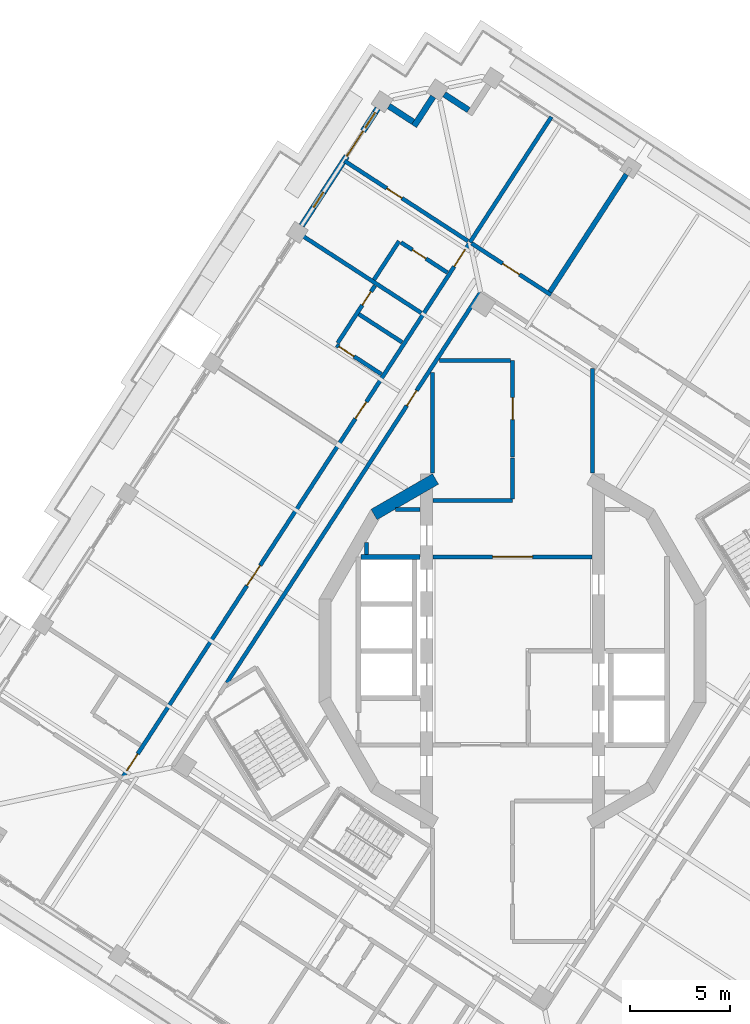
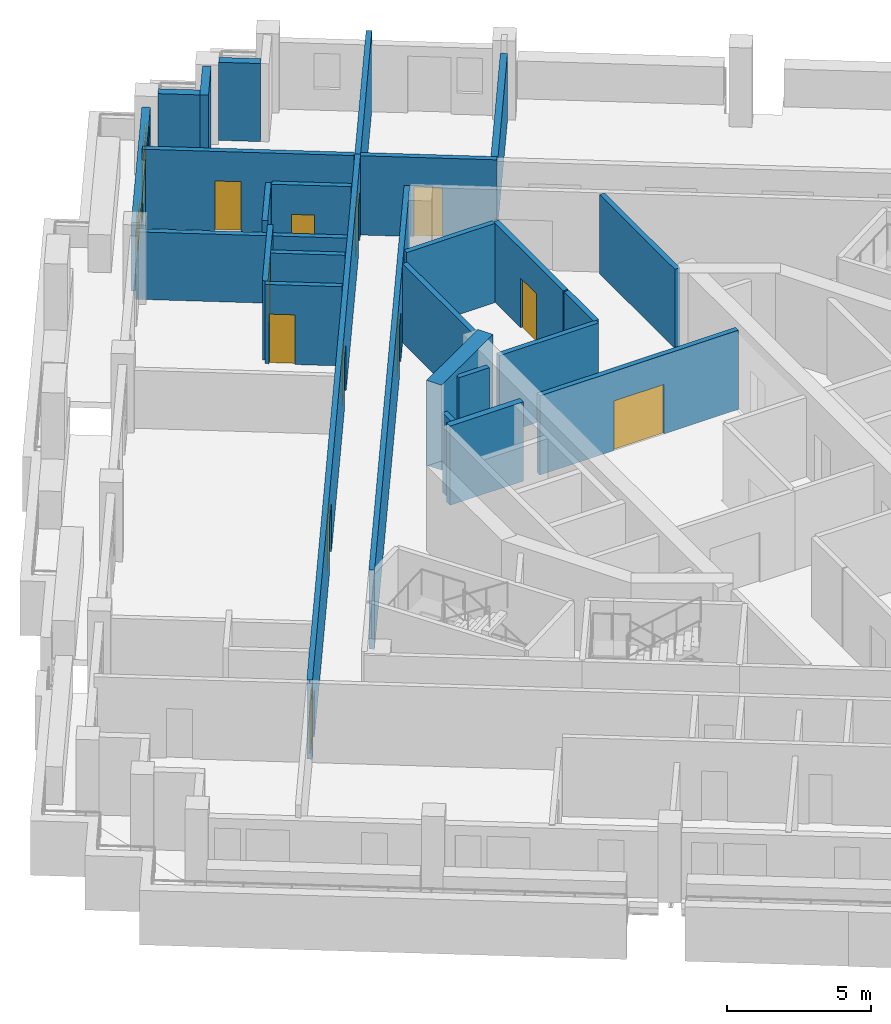
# One storey, part 8 of 15: 27 walls, 13 doors, 2 windows, 15 openings.
"""IFC4 building model written with IfcOpenShell, lengths in metres."""

from ifc_helpers import new_model, si_unit, direction, frame, frame_2d, origin, place, context, subcontext, project, spatial, rectangle, extrude, material, layer, layer_set, type_object, element, fill, save


model = new_model("IFC4")

# Units and contexts
model_context = context("Model", 3, precision=1e-05, world=origin(), true_north=direction((0.0, 1.0)))
body_context = subcontext(model_context, "Body", "Model", "MODEL_VIEW")
ifc_project = project(units=[si_unit("LENGTHUNIT", "METRE"), si_unit("AREAUNIT", "SQUARE_METRE"), si_unit("VOLUMEUNIT", "CUBIC_METRE"), si_unit("PLANEANGLEUNIT", "RADIAN"), si_unit("MASSUNIT", "GRAM", prefix="KILO")], contexts=[model_context])

# Site, building, storey
site_placement = place(None, origin())
site = spatial("IfcSite", under=ifc_project, at=site_placement, CompositionType="ELEMENT")
building_placement = place(site_placement, origin())
building = spatial("IfcBuilding", under=site, at=building_placement, Name="Cantera Rosa Tower", CompositionType="ELEMENT")
storey_placement = place(building_placement, frame((0.0, 0.0, 272.10009765625)))
storey = spatial("IfcBuildingStorey", under=building, at=storey_placement, Name="L61", CompositionType="ELEMENT", Elevation=272.10009765625)

# Wall, opening, door
ifc_material_1 = material(Name="Gypsum board partition")
ifc_layer_1 = layer(ifc_material_1, 0.199951171875)
ifc_layer_set_1 = layer_set([ifc_layer_1], Name="CORRIDOR WALL 200 H3350")
wall_type_1 = type_object("IfcWallType", Name="CORRIDOR WALL 200 H3350", PredefinedType="PARTITIONING", material=ifc_layer_set_1)
wall_1_placement = place(storey_placement, frame((-3.969970703125, 4.699951171875, 0.0), z_axis=(0.0, 0.0, 1.0), x_axis=(1.0, 0.0, 0.0)))
wall_1 = element("IfcWall", 1, at=wall_1_placement, inside=storey, type_object=wall_type_1, Name="CORRIDOR WALL L61-045", PredefinedType="PARTITIONING", context=body_context, shape_type="SweptSolid", body=[
    extrude(rectangle(XDim=7.93994140625, YDim=0.199951171875, at=frame_2d((3.969970703125, 0.0))), origin(), (0.0, 0.0, 1.0), 3.349853515625),
])
opening_1_placement = place(wall_1_placement, frame((2.969970703125, 0.0, 0.0)))
opening_1 = element("IfcOpeningElement", 2, at=opening_1_placement, cuts=wall_1, Name="Opening L61-009", PredefinedType="OPENING", context=body_context, shape_type="SweptSolid", body=[
    extrude(rectangle(XDim=2.0, YDim=2.10009765625, at=frame_2d((1.0, 1.050048828125))), frame((0.0, 0.10986328125, 0.0), z_axis=(0.0, -1.0, 0.0), x_axis=(1.0, 0.0, 0.0)), (0.0, 0.0, 1.0), 0.219970703125),
])
ifc_material_2 = material(Name="Steel S355J2 (EN 10025-2)", Category="steel")
door_type_1 = type_object("IfcDoorType", Name="LOBBY SCREEN DOOR 2000x2100", OperationType="NOTDEFINED", PredefinedType="DOOR", material=ifc_material_2)
door_1_placement = place(opening_1_placement, origin())
door_1 = element("IfcDoor", 3, at=door_1_placement, inside=storey, type_object=door_type_1, Name="DOOR L61-009", OperationType="NOTDEFINED", OverallHeight=2.10009765625, OverallWidth=2.0, PredefinedType="DOOR", context=body_context, shape_type="SweptSolid", body=[
    extrude(rectangle(XDim=2.0, YDim=2.10009765625, at=frame_2d((1.0, 1.050048828125))), frame((0.0, 0.02490234375, 0.0), z_axis=(0.0, -1.0, 0.0), x_axis=(1.0, 0.0, 0.0)), (0.0, 0.0, 1.0), 0.050048828125),
])
fill(opening_1, door_1)

# Wall
wall_2_placement = place(storey_placement, frame((-3.969970703125, 7.5, 0.0), z_axis=(0.0, 0.0, 1.0), x_axis=(1.0, 0.0, 0.0)))
element("IfcWall", 4, at=wall_2_placement, inside=storey, type_object=wall_type_1, Name="CORRIDOR WALL L61-046", PredefinedType="PARTITIONING", context=body_context, shape_type="SweptSolid", body=[
    extrude(rectangle(XDim=3.969970703125, YDim=0.199951171875, at=frame_2d((1.98486328125, 0.0))), origin(), (0.0, 0.0, 1.0), 3.349853515625),
])

# Wall, openings, doors
wall_3_placement = place(storey_placement, frame((-2.1318359375, 20.402587890625, 0.0), z_axis=(0.0, 0.0, 1.0), x_axis=(-0.544641000227, -0.838669291719, 0.0)))
wall_3 = element("IfcWall", 5, at=wall_3_placement, inside=storey, type_object=wall_type_1, Name="CORRIDOR WALL L61-049", PredefinedType="PARTITIONING", context=body_context, shape_type="SweptSolid", body=[
    extrude(rectangle(XDim=31.800048828125, YDim=0.199951171875, at=frame_2d((15.89990234375, 0.0))), origin(), (0.0, 0.0, 1.0), 3.349853515625),
])
opening_2_placement = place(wall_3_placement, frame((19.239990234375, 0.0, 0.0)))
opening_2 = element("IfcOpeningElement", 6, at=opening_2_placement, cuts=wall_3, Name="Opening L61-022", PredefinedType="OPENING", context=body_context, shape_type="SweptSolid", body=[
    extrude(rectangle(XDim=1.199951171875, YDim=2.10009765625, at=frame_2d((0.60009765625, 1.050048828125))), frame((0.0, 0.10986328125, 0.0), z_axis=(0.0, -1.0, 0.0), x_axis=(1.0, 0.0, 0.0)), (0.0, 0.0, 1.0), 0.219970703125),
])
opening_3_placement = place(wall_3_placement, frame((9.4951171875, 0.0, 0.0)))
opening_3 = element("IfcOpeningElement", 7, at=opening_3_placement, cuts=wall_3, Name="Opening L61-023", PredefinedType="OPENING", context=body_context, shape_type="SweptSolid", body=[
    extrude(rectangle(XDim=1.0, YDim=2.10009765625, at=frame_2d((0.5, 1.050048828125))), frame((0.0, 0.10986328125, 0.0), z_axis=(0.0, -1.0, 0.0), x_axis=(1.0, 0.0, 0.0)), (0.0, 0.0, 1.0), 0.219970703125),
])
opening_4_placement = place(wall_3_placement, frame((0.43994140625, 0.0, 0.0)))
opening_4 = element("IfcOpeningElement", 8, at=opening_4_placement, cuts=wall_3, Name="Opening L61-026", PredefinedType="OPENING", context=body_context, shape_type="SweptSolid", body=[
    extrude(rectangle(XDim=1.0, YDim=2.10009765625, at=frame_2d((0.5, 1.050048828125))), frame((0.0, 0.10986328125, 0.0), z_axis=(0.0, -1.0, 0.0), x_axis=(1.0, 0.0, 0.0)), (0.0, 0.0, 1.0), 0.219970703125),
])
opening_5_placement = place(wall_3_placement, frame((30.4599609375, 0.0, 0.0)))
opening_5 = element("IfcOpeningElement", 9, at=opening_5_placement, cuts=wall_3, Name="Opening L61-029", PredefinedType="OPENING", context=body_context, shape_type="SweptSolid", body=[
    extrude(rectangle(XDim=1.0, YDim=2.10009765625, at=frame_2d((0.5, 1.050048828125))), frame((0.0, 0.10986328125, 0.0), z_axis=(0.0, -1.0, 0.0), x_axis=(1.0, 0.0, 0.0)), (0.0, 0.0, 1.0), 0.219970703125),
])
ifc_material_3 = material(Name="Timber door leaf", Category="wood")
door_type_2 = type_object("IfcDoorType", Name="ENTRANCE DOOR 1000x2100", OperationType="NOTDEFINED", PredefinedType="DOOR", material=ifc_material_3)
door_2_placement = place(opening_3_placement, origin())
door_2 = element("IfcDoor", 10, at=door_2_placement, inside=storey, type_object=door_type_2, Name="DOOR L61-023", OperationType="NOTDEFINED", OverallHeight=2.10009765625, OverallWidth=1.0, PredefinedType="DOOR", context=body_context, shape_type="SweptSolid", body=[
    extrude(rectangle(XDim=1.0, YDim=2.10009765625, at=frame_2d((0.5, 1.050048828125))), frame((0.0, 0.02490234375, 0.0), z_axis=(0.0, -1.0, 0.0), x_axis=(1.0, 0.0, 0.0)), (0.0, 0.0, 1.0), 0.050048828125),
])
fill(opening_3, door_2)
door_3_placement = place(opening_4_placement, origin())
door_3 = element("IfcDoor", 11, at=door_3_placement, inside=storey, type_object=door_type_2, Name="DOOR L61-026", OperationType="NOTDEFINED", OverallHeight=2.10009765625, OverallWidth=1.0, PredefinedType="DOOR", context=body_context, shape_type="SweptSolid", body=[
    extrude(rectangle(XDim=1.0, YDim=2.10009765625, at=frame_2d((0.5, 1.050048828125))), frame((0.0, 0.02490234375, 0.0), z_axis=(0.0, -1.0, 0.0), x_axis=(1.0, 0.0, 0.0)), (0.0, 0.0, 1.0), 0.050048828125),
])
fill(opening_4, door_3)
door_4_placement = place(opening_5_placement, origin())
door_4 = element("IfcDoor", 12, at=door_4_placement, inside=storey, type_object=door_type_2, Name="DOOR L61-029", OperationType="NOTDEFINED", OverallHeight=2.10009765625, OverallWidth=1.0, PredefinedType="DOOR", context=body_context, shape_type="SweptSolid", body=[
    extrude(rectangle(XDim=1.0, YDim=2.10009765625, at=frame_2d((0.5, 1.050048828125))), frame((0.0, 0.02490234375, 0.0), z_axis=(0.0, -1.0, 0.0), x_axis=(1.0, 0.0, 0.0)), (0.0, 0.0, 1.0), 0.050048828125),
])
fill(opening_5, door_4)
ifc_material_4 = material(Name="Timber door leaf", Category="wood")
door_type_3 = type_object("IfcDoorType", Name="ROOM DOOR 1200x2100", OperationType="NOTDEFINED", PredefinedType="DOOR", material=ifc_material_4)
door_5_placement = place(opening_2_placement, origin())
door_5 = element("IfcDoor", 13, at=door_5_placement, inside=storey, type_object=door_type_3, Name="DOOR L61-022", OperationType="NOTDEFINED", OverallHeight=2.10009765625, OverallWidth=1.199951171875, PredefinedType="DOOR", context=body_context, shape_type="SweptSolid", body=[
    extrude(rectangle(XDim=1.199951171875, YDim=2.10009765625, at=frame_2d((0.60009765625, 1.050048828125))), frame((0.0, 0.02490234375, 0.0), z_axis=(0.0, -1.0, 0.0), x_axis=(1.0, 0.0, 0.0)), (0.0, 0.0, 1.0), 0.050048828125),
])
fill(opening_2, door_5)

# Wall, opening, door
wall_4_placement = place(storey_placement, frame((-1.6025390625, 17.91259765625, 0.0), z_axis=(0.0, 0.0, 1.0), x_axis=(-0.544642173362, -0.838668529871, 0.0)))
wall_4 = element("IfcWall", 14, at=wall_4_placement, inside=storey, type_object=wall_type_1, Name="CORRIDOR WALL L61-053", PredefinedType="PARTITIONING", context=body_context, shape_type="SweptSolid", body=[
    extrude(rectangle(XDim=23.255126953125, YDim=0.199951171875, at=frame_2d((11.62744140625, 0.0))), origin(), (0.0, 0.0, 1.0), 3.349853515625),
])
opening_6_placement = place(wall_4_placement, frame((5.8623046875, 0.0, 0.0)))
opening_6 = element("IfcOpeningElement", 15, at=opening_6_placement, cuts=wall_4, Name="Opening L61-004", PredefinedType="OPENING", context=body_context, shape_type="SweptSolid", body=[
    extrude(rectangle(XDim=0.89990234375, YDim=2.10009765625, at=frame_2d((0.449951171875, 1.050048828125))), frame((0.0, 0.10986328125, 0.0), z_axis=(0.0, -1.0, 0.0), x_axis=(1.0, 0.0, 0.0)), (0.0, 0.0, 1.0), 0.219970703125),
])
ifc_material_5 = material(Name="Timber door leaf", Category="wood")
door_type_4 = type_object("IfcDoorType", Name="SERVICE DOOR 900x2100", OperationType="NOTDEFINED", PredefinedType="DOOR", material=ifc_material_5)
door_6_placement = place(opening_6_placement, origin())
door_6 = element("IfcDoor", 16, at=door_6_placement, inside=storey, type_object=door_type_4, Name="DOOR L61-004", OperationType="NOTDEFINED", OverallHeight=2.10009765625, OverallWidth=0.89990234375, PredefinedType="DOOR", context=body_context, shape_type="SweptSolid", body=[
    extrude(rectangle(XDim=0.89990234375, YDim=2.10009765625, at=frame_2d((0.449951171875, 1.050048828125))), frame((0.0, 0.02490234375, 0.0), z_axis=(0.0, -1.0, 0.0), x_axis=(1.0, 0.0, 0.0)), (0.0, 0.0, 1.0), 0.050048828125),
])
fill(opening_6, door_6)

# Wall
wall_5_placement = place(storey_placement, frame((0.0, 7.580078125, 0.0), z_axis=(0.0, 0.0, 1.0), x_axis=(0.0, 1.0, 0.0)))
element("IfcWall", 17, at=wall_5_placement, inside=storey, type_object=wall_type_1, Name="CORRIDOR WALL L61-057", PredefinedType="PARTITIONING", context=body_context, shape_type="SweptSolid", body=[
    extrude(rectangle(XDim=2.04931640625, YDim=0.199951171875, at=frame_2d((1.024658203125, 0.0))), origin(), (0.0, 0.0, 1.0), 3.349853515625),
])

# Wall, opening, door
wall_6_placement = place(storey_placement, frame((0.0, 9.689208984375, 0.0), z_axis=(0.0, 0.0, 1.0), x_axis=(0.0, 1.0, 0.0)))
wall_6 = element("IfcWall", 18, at=wall_6_placement, inside=storey, type_object=wall_type_1, Name="CORRIDOR WALL L61-058", PredefinedType="PARTITIONING", context=body_context, shape_type="SweptSolid", body=[
    extrude(rectangle(XDim=4.810791015625, YDim=0.199951171875, at=frame_2d((2.4052734375, 0.0))), origin(), (0.0, 0.0, 1.0), 3.349853515625),
])
opening_7_placement = place(wall_6_placement, frame((1.85546875, 0.0, 0.0)))
opening_7 = element("IfcOpeningElement", 19, at=opening_7_placement, cuts=wall_6, Name="Opening L61-013", PredefinedType="OPENING", context=body_context, shape_type="SweptSolid", body=[
    extrude(rectangle(XDim=1.10009765625, YDim=2.10009765625, at=frame_2d((0.550048828125, 1.050048828125))), frame((0.0, 0.10986328125, 0.0), z_axis=(0.0, -1.0, 0.0), x_axis=(1.0, 0.0, 0.0)), (0.0, 0.0, 1.0), 0.219970703125),
])
ifc_material_6 = material(Name="Timber door leaf", Category="wood")
door_type_5 = type_object("IfcDoorType", Name="ROOM DOOR 1100x2100", OperationType="NOTDEFINED", PredefinedType="DOOR", material=ifc_material_6)
door_7_placement = place(opening_7_placement, origin())
door_7 = element("IfcDoor", 20, at=door_7_placement, inside=storey, type_object=door_type_5, Name="DOOR L61-013", OperationType="NOTDEFINED", OverallHeight=2.10009765625, OverallWidth=1.10009765625, PredefinedType="DOOR", context=body_context, shape_type="SweptSolid", body=[
    extrude(rectangle(XDim=1.10009765625, YDim=2.10009765625, at=frame_2d((0.550048828125, 1.050048828125))), frame((0.0, 0.02490234375, 0.0), z_axis=(0.0, -1.0, 0.0), x_axis=(1.0, 0.0, 0.0)), (0.0, 0.0, 1.0), 0.050048828125),
])
fill(opening_7, door_7)

# Walls
wall_7_placement = place(storey_placement, frame((-0.10009765625, 14.5, 0.0), z_axis=(0.0, 0.0, 1.0), x_axis=(-1.0, 0.0, 0.0)))
element("IfcWall", 21, at=wall_7_placement, inside=storey, type_object=wall_type_1, Name="CORRIDOR WALL L61-059", PredefinedType="PARTITIONING", context=body_context, shape_type="SweptSolid", body=[
    extrude(rectangle(XDim=3.538818359375, YDim=0.199951171875, at=frame_2d((1.76953125, 0.0))), origin(), (0.0, 0.0, 1.0), 3.349853515625),
])
wall_8_placement = place(storey_placement, frame((4.0, 8.87890625, 0.0), z_axis=(0.0, 0.0, 1.0), x_axis=(0.0, 1.0, 0.0)))
element("IfcWall", 22, at=wall_8_placement, inside=storey, type_object=wall_type_1, Name="CORRIDOR WALL L61-069", PredefinedType="PARTITIONING", context=body_context, shape_type="SweptSolid", body=[
    extrude(rectangle(XDim=5.21533203125, YDim=0.199951171875, at=frame_2d((2.607666015625, 0.0))), origin(), (0.0, 0.0, 1.0), 3.349853515625),
])

# Wall, opening, door
wall_9_placement = place(storey_placement, frame((1.914794921875, 17.77490234375, 0.0), z_axis=(0.0, 0.0, 1.0), x_axis=(-0.838698511903, 0.544596002677, 0.0)))
wall_9 = element("IfcWall", 23, at=wall_9_placement, inside=storey, type_object=wall_type_1, Name="CORRIDOR WALL L61-104", PredefinedType="PARTITIONING", context=body_context, shape_type="SweptSolid", body=[
    extrude(rectangle(XDim=4.72509765625, YDim=0.199951171875, at=frame_2d((2.362548828125, 0.0))), origin(), (0.0, 0.0, 1.0), 3.349853515625),
])
opening_8_placement = place(wall_9_placement, frame((1.875, 0.0, 0.0)))
opening_8 = element("IfcOpeningElement", 24, at=opening_8_placement, cuts=wall_9, Name="Opening L61-021", PredefinedType="OPENING", context=body_context, shape_type="SweptSolid", body=[
    extrude(rectangle(XDim=1.0, YDim=2.10009765625, at=frame_2d((0.5, 1.050048828125))), frame((0.0, 0.10986328125, 0.0), z_axis=(0.0, -1.0, 0.0), x_axis=(1.0, 0.0, 0.0)), (0.0, 0.0, 1.0), 0.219970703125),
])
ifc_material_7 = material(Name="Timber door leaf", Category="wood")
door_type_6 = type_object("IfcDoorType", Name="ROOM DOOR 1000x2100", OperationType="NOTDEFINED", PredefinedType="DOOR", material=ifc_material_7)
door_8_placement = place(opening_8_placement, origin())
door_8 = element("IfcDoor", 25, at=door_8_placement, inside=storey, type_object=door_type_6, Name="DOOR L61-021", OperationType="NOTDEFINED", OverallHeight=2.10009765625, OverallWidth=1.0, PredefinedType="DOOR", context=body_context, shape_type="SweptSolid", body=[
    extrude(rectangle(XDim=1.0, YDim=2.10009765625, at=frame_2d((0.5, 1.050048828125))), frame((0.0, 0.02490234375, 0.0), z_axis=(0.0, -1.0, 0.0), x_axis=(1.0, 0.0, 0.0)), (0.0, 0.0, 1.0), 0.050048828125),
])
fill(opening_8, door_8)

# Walls
ifc_material_8 = material(Name="Hollow clay masonry with cantera stone cladding", Category="masonry")
ifc_layer_2 = layer(ifc_material_8, 0.300048828125)
ifc_layer_set_2 = layer_set([ifc_layer_2], Name="EW-LOGGIA 300")
wall_type_2 = type_object("IfcWallType", Name="EW-LOGGIA 300", PredefinedType="SOLIDWALL", material=ifc_layer_set_2)
wall_10_placement = place(storey_placement, frame((-2.197509765625, 27.003173828125, 0.0), z_axis=(0.0, 0.0, 1.0), x_axis=(-0.838647435384, 0.54467465438, 0.0)))
element("IfcWall", 26, at=wall_10_placement, inside=storey, type_object=wall_type_2, Name="EN-L61-W05b", PredefinedType="SOLIDWALL", context=body_context, shape_type="SweptSolid", body=[
    extrude(rectangle(XDim=1.449951171875, YDim=0.300048828125, at=frame_2d((0.72509765625, 0.0))), origin(), (0.0, 0.0, 1.0), 3.2998046875),
])
wall_11_placement = place(storey_placement, frame((-3.966796875, 27.67529296875, 0.0), z_axis=(0.0, 0.0, 1.0), x_axis=(-0.544679362749, -0.83864437743, 0.0)))
element("IfcWall", 27, at=wall_11_placement, inside=storey, type_object=wall_type_2, Name="EN-L61-W06a", PredefinedType="SOLIDWALL", context=body_context, shape_type="SweptSolid", body=[
    extrude(rectangle(XDim=1.75, YDim=0.300048828125, at=frame_2d((0.875, 0.0))), origin(), (0.0, 0.0, 1.0), 3.2998046875),
])
wall_12_placement = place(storey_placement, frame((-4.964111328125, 26.415283203125, 0.0), z_axis=(0.0, 0.0, 1.0), x_axis=(-0.838724343483, 0.544556218997, 0.0)))
element("IfcWall", 28, at=wall_12_placement, inside=storey, type_object=wall_type_2, Name="EN-L61-W06b", PredefinedType="SOLIDWALL", context=body_context, shape_type="SweptSolid", body=[
    extrude(rectangle(XDim=1.449951171875, YDim=0.300048828125, at=frame_2d((0.72509765625, 0.0))), origin(), (0.0, 0.0, 1.0), 3.2998046875),
])

# Wall, openings, windows, door
ifc_material_9 = material(Name="Hollow clay masonry with cantera stone cladding", Category="masonry")
ifc_layer_3 = layer(ifc_material_9, 0.300048828125)
ifc_layer_set_3 = layer_set([ifc_layer_3], Name="EW-LOGGIA 300 H2890")
wall_type_3 = type_object("IfcWallType", Name="EW-LOGGIA 300 H2890", PredefinedType="SOLIDWALL", material=ifc_layer_set_3)
wall_13_placement = place(storey_placement, frame((-6.7333984375, 27.08740234375, 0.0), z_axis=(0.0, 0.0, 1.0), x_axis=(-0.544651451949, -0.838662504164, 0.0)))
wall_13 = element("IfcWall", 29, at=wall_13_placement, inside=storey, type_object=wall_type_3, Name="EN-L61-W07", PredefinedType="SOLIDWALL", context=body_context, shape_type="SweptSolid", body=[
    extrude(rectangle(XDim=6.980224609375, YDim=0.300048828125, at=frame_2d((3.490234375, 0.0))), origin(), (0.0, 0.0, 1.0), 2.889892578125),
])
opening_9_placement = place(wall_13_placement, frame((0.2451171875, 0.0, 0.89990234375)))
opening_9 = element("IfcOpeningElement", 30, at=opening_9_placement, cuts=wall_13, Name="Opening L61-W07", PredefinedType="OPENING", context=body_context, shape_type="SweptSolid", body=[
    extrude(rectangle(XDim=0.89990234375, YDim=1.5, at=frame_2d((0.449951171875, 0.75))), frame((0.0, 0.159912109375, 0.0), z_axis=(0.0, -1.0, 0.0), x_axis=(1.0, 0.0, 0.0)), (0.0, 0.0, 1.0), 0.320068359375),
])
opening_10_placement = place(wall_13_placement, frame((1.344970703125, 0.0, 0.0)))
opening_10 = element("IfcOpeningElement", 31, at=opening_10_placement, cuts=wall_13, Name="Opening L61-TD08", PredefinedType="OPENING", context=body_context, shape_type="SweptSolid", body=[
    extrude(rectangle(XDim=1.5, YDim=2.39990234375, at=frame_2d((0.75, 1.199951171875))), frame((0.0, 0.159912109375, 0.0), z_axis=(0.0, -1.0, 0.0), x_axis=(1.0, 0.0, 0.0)), (0.0, 0.0, 1.0), 0.320068359375),
])
opening_11_placement = place(wall_13_placement, frame((4.985107421875, 0.0, 0.89990234375)))
opening_11 = element("IfcOpeningElement", 32, at=opening_11_placement, cuts=wall_13, Name="Opening L61-W09", PredefinedType="OPENING", context=body_context, shape_type="SweptSolid", body=[
    extrude(rectangle(XDim=0.89990234375, YDim=1.5, at=frame_2d((0.449951171875, 0.75))), frame((0.0, 0.159912109375, 0.0), z_axis=(0.0, -1.0, 0.0), x_axis=(1.0, 0.0, 0.0)), (0.0, 0.0, 1.0), 0.320068359375),
])
ifc_material_10 = material(Name="Aluminium frame with clear glass", Category="aluminium")
window_type = type_object("IfcWindowType", Name="Residential window 900x1500", PartitioningType="SINGLE_PANEL", PredefinedType="WINDOW", material=ifc_material_10)
window_1_placement = place(opening_9_placement, origin())
window_1 = element("IfcWindow", 33, at=window_1_placement, inside=storey, type_object=window_type, Name="WINDOW L61-W07", OverallHeight=1.5, OverallWidth=0.89990234375, PartitioningType="SINGLE_PANEL", PredefinedType="WINDOW", context=body_context, shape_type="SweptSolid", body=[
    extrude(rectangle(XDim=0.89990234375, YDim=1.5, at=frame_2d((0.449951171875, 0.75))), frame((0.0, 0.030029296875, 0.0), z_axis=(0.0, -1.0, 0.0), x_axis=(1.0, 0.0, 0.0)), (0.0, 0.0, 1.0), 0.06005859375),
])
fill(opening_9, window_1)
window_2_placement = place(opening_11_placement, origin())
window_2 = element("IfcWindow", 34, at=window_2_placement, inside=storey, type_object=window_type, Name="WINDOW L61-W09", OverallHeight=1.5, OverallWidth=0.89990234375, PartitioningType="SINGLE_PANEL", PredefinedType="WINDOW", context=body_context, shape_type="SweptSolid", body=[
    extrude(rectangle(XDim=0.89990234375, YDim=1.5, at=frame_2d((0.449951171875, 0.75))), frame((0.0, 0.030029296875, 0.0), z_axis=(0.0, -1.0, 0.0), x_axis=(1.0, 0.0, 0.0)), (0.0, 0.0, 1.0), 0.06005859375),
])
fill(opening_11, window_2)
ifc_material_11 = material(Name="Aluminium frame with clear glass", Category="aluminium")
door_type_7 = type_object("IfcDoorType", Name="TD-R 1500x2400", OperationType="NOTDEFINED", PredefinedType="DOOR", material=ifc_material_11)
door_9_placement = place(opening_10_placement, origin())
door_9 = element("IfcDoor", 35, at=door_9_placement, inside=storey, type_object=door_type_7, Name="LOGGIA DOOR L61-TD08", OperationType="SLIDING_TO_LEFT", OverallHeight=2.39990234375, OverallWidth=1.5, PredefinedType="DOOR", context=body_context, shape_type="SweptSolid", body=[
    extrude(rectangle(XDim=1.5, YDim=2.39990234375, at=frame_2d((0.75, 1.199951171875))), frame((0.0, 0.02490234375, 0.0), z_axis=(0.0, -1.0, 0.0), x_axis=(1.0, 0.0, 0.0)), (0.0, 0.0, 1.0), 0.050048828125),
])
fill(opening_10, door_9)

# Wall
ifc_material_12 = material(Name="Concrete C40/50", Category="concrete")
ifc_layer_4 = layer(ifc_material_12, 0.25)
ifc_layer_set_4 = layer_set([ifc_layer_4], Name="EW-POCKET CHEEK 250 H2820")
wall_type_4 = type_object("IfcWallType", Name="EW-POCKET CHEEK 250 H2820", PredefinedType="SOLIDWALL", material=ifc_layer_set_4)
wall_14_placement = place(storey_placement, frame((5.6767578125, 23.79736328125, 0.0), z_axis=(0.0, 0.0, 1.0), x_axis=(-0.544647498784, -0.838665071449, 0.0)))
element("IfcWall", 36, at=wall_14_placement, inside=storey, type_object=wall_type_4, Name="POCKET CHEEK B L61", PredefinedType="SOLIDWALL", context=body_context, shape_type="SweptSolid", body=[
    extrude(rectangle(XDim=7.0, YDim=0.25, at=frame_2d((3.5, 0.0))), origin(), (0.0, 0.0, 1.0), 2.81982421875),
])

# Wall, opening, door
ifc_material_13 = material(Name="Gypsum board partition")
ifc_layer_5 = layer(ifc_material_13, 0.199951171875)
ifc_layer_set_5 = layer_set([ifc_layer_5], Name="PARTITION 200 H3350")
wall_type_5 = type_object("IfcWallType", Name="PARTITION 200 H3350", PredefinedType="PARTITIONING", material=ifc_layer_set_5)
wall_15_placement = place(storey_placement, frame((-8.73388671875, 15.377685546875, 0.0), z_axis=(0.0, 0.0, 1.0), x_axis=(0.544681306178, 0.838643115217, 0.0)))
wall_15 = element("IfcWall", 37, at=wall_15_placement, inside=storey, type_object=wall_type_5, Name="PARTITION L61-022", PredefinedType="PARTITIONING", context=body_context, shape_type="SweptSolid", body=[
    extrude(rectangle(XDim=3.41015625, YDim=0.199951171875, at=frame_2d((1.705078125, 0.0))), origin(), (0.0, 0.0, 1.0), 3.349853515625),
])
opening_12_placement = place(wall_15_placement, frame((2.2548828125, 0.0, 0.0)))
opening_12 = element("IfcOpeningElement", 38, at=opening_12_placement, cuts=wall_15, Name="Opening L61-024", PredefinedType="OPENING", context=body_context, shape_type="SweptSolid", body=[
    extrude(rectangle(XDim=0.800048828125, YDim=2.10009765625, at=frame_2d((0.39990234375, 1.050048828125))), frame((0.0, 0.10986328125, 0.0), z_axis=(0.0, -1.0, 0.0), x_axis=(1.0, 0.0, 0.0)), (0.0, 0.0, 1.0), 0.219970703125),
])
ifc_material_14 = material(Name="Timber door leaf", Category="wood")
door_type_8 = type_object("IfcDoorType", Name="BATHROOM DOOR 800x2100", OperationType="NOTDEFINED", PredefinedType="DOOR", material=ifc_material_14)
door_10_placement = place(opening_12_placement, origin())
door_10 = element("IfcDoor", 39, at=door_10_placement, inside=storey, type_object=door_type_8, Name="DOOR L61-024", OperationType="NOTDEFINED", OverallHeight=2.10009765625, OverallWidth=0.800048828125, PredefinedType="DOOR", context=body_context, shape_type="SweptSolid", body=[
    extrude(rectangle(XDim=0.800048828125, YDim=2.10009765625, at=frame_2d((0.39990234375, 1.050048828125))), frame((0.0, 0.02490234375, 0.0), z_axis=(0.0, -1.0, 0.0), x_axis=(1.0, 0.0, 0.0)), (0.0, 0.0, 1.0), 0.050048828125),
])
fill(opening_12, door_10)

# Walls
wall_16_placement = place(storey_placement, frame((-7.300048828125, 4.824951171875, 0.0), z_axis=(0.0, 0.0, 1.0), x_axis=(0.0, 1.0, 0.0)))
element("IfcWall", 40, at=wall_16_placement, inside=storey, type_object=wall_type_5, Name="PARTITION L61-031", PredefinedType="PARTITIONING", context=body_context, shape_type="SweptSolid", body=[
    extrude(rectangle(XDim=0.589599609375, YDim=0.199951171875, at=frame_2d((0.294921875, 0.0))), origin(), (0.0, 0.0, 1.0), 3.349853515625),
])
wall_17_placement = place(storey_placement, frame((-6.924560546875, 18.531005859375, 0.0), z_axis=(0.0, 0.0, 1.0), x_axis=(0.544641320086, 0.838669083999, 0.0)))
element("IfcWall", 41, at=wall_17_placement, inside=storey, type_object=wall_type_5, Name="PARTITION L61-032", PredefinedType="PARTITIONING", context=body_context, shape_type="SweptSolid", body=[
    extrude(rectangle(XDim=2.300048828125, YDim=0.199951171875, at=frame_2d((1.14990234375, 0.0))), origin(), (0.0, 0.0, 1.0), 3.349853515625),
])

# Wall, opening, door
wall_18_placement = place(storey_placement, frame((-6.551513671875, 13.8173828125, 0.0), z_axis=(0.0, 0.0, 1.0), x_axis=(-0.838647527281, 0.544674512884, 0.0)))
wall_18 = element("IfcWall", 42, at=wall_18_placement, inside=storey, type_object=wall_type_5, Name="PARTITION L61-033", PredefinedType="PARTITIONING", context=body_context, shape_type="SweptSolid", body=[
    extrude(rectangle(XDim=2.679931640625, YDim=0.199951171875, at=frame_2d((1.33984375, 0.0))), origin(), (0.0, 0.0, 1.0), 3.349853515625),
])
opening_13_placement = place(wall_18_placement, frame((1.6298828125, 0.0, 0.0)))
opening_13 = element("IfcOpeningElement", 43, at=opening_13_placement, cuts=wall_18, Name="Opening L61-025", PredefinedType="OPENING", context=body_context, shape_type="SweptSolid", body=[
    extrude(rectangle(XDim=0.89990234375, YDim=2.10009765625, at=frame_2d((0.449951171875, 1.050048828125))), frame((0.0, 0.10986328125, 0.0), z_axis=(0.0, -1.0, 0.0), x_axis=(1.0, 0.0, 0.0)), (0.0, 0.0, 1.0), 0.219970703125),
])
ifc_material_15 = material(Name="Timber door leaf", Category="wood")
door_type_9 = type_object("IfcDoorType", Name="ROOM DOOR 900x2100", OperationType="NOTDEFINED", PredefinedType="DOOR", material=ifc_material_15)
door_11_placement = place(opening_13_placement, origin())
door_11 = element("IfcDoor", 44, at=door_11_placement, inside=storey, type_object=door_type_9, Name="DOOR L61-025", OperationType="NOTDEFINED", OverallHeight=2.10009765625, OverallWidth=0.89990234375, PredefinedType="DOOR", context=body_context, shape_type="SweptSolid", body=[
    extrude(rectangle(XDim=0.89990234375, YDim=2.10009765625, at=frame_2d((0.449951171875, 1.050048828125))), frame((0.0, 0.02490234375, 0.0), z_axis=(0.0, -1.0, 0.0), x_axis=(1.0, 0.0, 0.0)), (0.0, 0.0, 1.0), 0.050048828125),
])
fill(opening_13, door_11)

# Wall
wall_19_placement = place(storey_placement, frame((-5.84765625, 7.050048828125, 0.0), z_axis=(0.0, 0.0, 1.0), x_axis=(1.0, 0.0, 0.0)))
element("IfcWall", 45, at=wall_19_placement, inside=storey, type_object=wall_type_5, Name="PARTITION L61-035", PredefinedType="PARTITIONING", context=body_context, shape_type="SweptSolid", body=[
    extrude(rectangle(XDim=1.2177734375, YDim=0.199951171875, at=frame_2d((0.60888671875, 0.0))), origin(), (0.0, 0.0, 1.0), 3.349853515625),
])

# Wall, opening, door
wall_20_placement = place(storey_placement, frame((-5.5712890625, 20.39453125, 0.0), z_axis=(0.0, 0.0, 1.0), x_axis=(0.838698153496, -0.544596554637, 0.0)))
wall_20 = element("IfcWall", 46, at=wall_20_placement, inside=storey, type_object=wall_type_5, Name="PARTITION L61-036", PredefinedType="PARTITIONING", context=body_context, shape_type="SweptSolid", body=[
    extrude(rectangle(XDim=2.76025390625, YDim=0.199951171875, at=frame_2d((1.380126953125, 0.0))), origin(), (0.0, 0.0, 1.0), 3.349853515625),
])
opening_14_placement = place(wall_20_placement, frame((0.679931640625, 0.0, 0.0)))
opening_14 = element("IfcOpeningElement", 47, at=opening_14_placement, cuts=wall_20, Name="Opening L61-027", PredefinedType="OPENING", context=body_context, shape_type="SweptSolid", body=[
    extrude(rectangle(XDim=0.800048828125, YDim=2.10009765625, at=frame_2d((0.39990234375, 1.050048828125))), frame((0.0, 0.10986328125, 0.0), z_axis=(0.0, -1.0, 0.0), x_axis=(1.0, 0.0, 0.0)), (0.0, 0.0, 1.0), 0.219970703125),
])
door_12_placement = place(opening_14_placement, origin())
door_12 = element("IfcDoor", 48, at=door_12_placement, inside=storey, type_object=door_type_8, Name="DOOR L61-027", OperationType="NOTDEFINED", OverallHeight=2.10009765625, OverallWidth=0.800048828125, PredefinedType="DOOR", context=body_context, shape_type="SweptSolid", body=[
    extrude(rectangle(XDim=0.800048828125, YDim=2.10009765625, at=frame_2d((0.39990234375, 1.050048828125))), frame((0.0, 0.02490234375, 0.0), z_axis=(0.0, -1.0, 0.0), x_axis=(1.0, 0.0, 0.0)), (0.0, 0.0, 1.0), 0.050048828125),
])
fill(opening_14, door_12)

# Walls
wall_21_placement = place(storey_placement, frame((-5.5166015625, 15.410888671875, 0.0), z_axis=(0.0, 0.0, 1.0), x_axis=(-0.838700801883, 0.544592476005, 0.0)))
element("IfcWall", 49, at=wall_21_placement, inside=storey, type_object=wall_type_5, Name="PARTITION L61-037", PredefinedType="PARTITIONING", context=body_context, shape_type="SweptSolid", body=[
    extrude(rectangle(XDim=2.580078125, YDim=0.199951171875, at=frame_2d((1.2900390625, 0.0))), origin(), (0.0, 0.0, 1.0), 3.349853515625),
])
wall_22_placement = place(storey_placement, frame((-4.0, 13.90087890625, 0.0), z_axis=(0.0, 0.0, 1.0), x_axis=(0.0, -1.0, 0.0)))
element("IfcWall", 50, at=wall_22_placement, inside=storey, type_object=wall_type_5, Name="PARTITION L61-044", PredefinedType="PARTITIONING", context=body_context, shape_type="SweptSolid", body=[
    extrude(rectangle(XDim=5.02197265625, YDim=0.199951171875, at=frame_2d((2.510986328125, 0.0))), origin(), (0.0, 0.0, 1.0), 3.349853515625),
])

# Wall, opening, door
wall_23_placement = place(storey_placement, frame((-2.232421875, 20.468017578125, 0.0), z_axis=(0.0, 0.0, 1.0), x_axis=(-0.838668934217, 0.544641550729, 0.0)))
wall_23 = element("IfcWall", 51, at=wall_23_placement, inside=storey, type_object=wall_type_5, Name="PARTITION L61-050", PredefinedType="PARTITIONING", context=body_context, shape_type="SweptSolid", body=[
    extrude(rectangle(XDim=7.35009765625, YDim=0.199951171875, at=frame_2d((3.675048828125, 0.0))), origin(), (0.0, 0.0, 1.0), 3.349853515625),
])
opening_15_placement = place(wall_23_placement, frame((3.929931640625, 0.0, 0.0)))
opening_15 = element("IfcOpeningElement", 52, at=opening_15_placement, cuts=wall_23, Name="Opening L61-028", PredefinedType="OPENING", context=body_context, shape_type="SweptSolid", body=[
    extrude(rectangle(XDim=0.89990234375, YDim=2.10009765625, at=frame_2d((0.449951171875, 1.050048828125))), frame((0.0, 0.10986328125, 0.0), z_axis=(0.0, -1.0, 0.0), x_axis=(1.0, 0.0, 0.0)), (0.0, 0.0, 1.0), 0.219970703125),
])
door_13_placement = place(opening_15_placement, origin())
door_13 = element("IfcDoor", 53, at=door_13_placement, inside=storey, type_object=door_type_9, Name="DOOR L61-028", OperationType="NOTDEFINED", OverallHeight=2.10009765625, OverallWidth=0.89990234375, PredefinedType="DOOR", context=body_context, shape_type="SweptSolid", body=[
    extrude(rectangle(XDim=0.89990234375, YDim=2.10009765625, at=frame_2d((0.449951171875, 1.050048828125))), frame((0.0, 0.02490234375, 0.0), z_axis=(0.0, -1.0, 0.0), x_axis=(1.0, 0.0, 0.0)), (0.0, 0.0, 1.0), 0.050048828125),
])
fill(opening_15, door_13)

# Walls
ifc_material_16 = material(Name="Gypsum board partition")
ifc_layer_6 = layer(ifc_material_16, 0.199951171875)
ifc_layer_set_6 = layer_set([ifc_layer_6], Name="PARTY WALL 200 H2850")
wall_type_6 = type_object("IfcWallType", Name="PARTY WALL 200 H2850", PredefinedType="PARTITIONING", material=ifc_layer_set_6)
wall_24_placement = place(storey_placement, frame((-10.727783203125, 20.881591796875, 0.0), z_axis=(0.0, 0.0, 1.0), x_axis=(0.838659080818, -0.544656723232, 0.0)))
element("IfcWall", 54, at=wall_24_placement, inside=storey, type_object=wall_type_6, Name="PARTY WALL L61-015", PredefinedType="PARTITIONING", context=body_context, shape_type="SweptSolid", body=[
    extrude(rectangle(XDim=7.349853515625, YDim=0.199951171875, at=frame_2d((3.6748046875, 0.0))), origin(), (0.0, 0.0, 1.0), 2.849853515625),
])
ifc_material_17 = material(Name="Gypsum board partition")
ifc_layer_7 = layer(ifc_material_17, 0.199951171875)
ifc_layer_set_7 = layer_set([ifc_layer_7], Name="PARTY WALL 200 H3350")
wall_type_7 = type_object("IfcWallType", Name="PARTY WALL 200 H3350", PredefinedType="PARTITIONING", material=ifc_layer_set_7)
wall_25_placement = place(storey_placement, frame((-2.1318359375, 20.402587890625, 0.0), z_axis=(0.0, 0.0, 1.0), x_axis=(0.544628730556, 0.838677259649, 0.0)))
element("IfcWall", 55, at=wall_25_placement, inside=storey, type_object=wall_type_7, Name="PARTY WALL L61-051", PredefinedType="PARTITIONING", context=body_context, shape_type="SweptSolid", body=[
    extrude(rectangle(XDim=7.469970703125, YDim=0.199951171875, at=frame_2d((3.73486328125, 0.0))), origin(), (0.0, 0.0, 1.0), 3.349853515625),
])
ifc_material_18 = material(Name="Concrete C50/60", Category="concrete")
ifc_layer_8 = layer(ifc_material_18, 0.60009765625)
ifc_layer_set_8 = layer_set([ifc_layer_8], Name="RC CORE WALL 600 C50/60")
wall_type_8 = type_object("IfcWallType", Name="RC CORE WALL 600 C50/60", PredefinedType="SHEAR", material=ifc_layer_set_8)
wall_26_placement = place(storey_placement, frame((-6.921142578125, 6.811279296875, 0.0), z_axis=(0.0, 0.0, 1.0), x_axis=(0.866039982607, 0.499974747889, 0.0)))
element("IfcWall", 56, at=wall_26_placement, inside=storey, type_object=wall_type_8, Name="CW-W5 L61", PredefinedType="SHEAR", context=body_context, shape_type="SweptSolid", body=[
    extrude(rectangle(XDim=3.546142578125, YDim=0.60009765625, at=frame_2d((1.77294921875, 0.0))), origin(), (0.0, 0.0, 1.0), 3.599853515625),
])
ifc_material_19 = material(Name="Masonry blockwork", Category="masonry")
ifc_layer_9 = layer(ifc_material_19, 0.25)
ifc_layer_set_9 = layer_set([ifc_layer_9], Name="SHAFT WALL 250 H3350")
wall_type_9 = type_object("IfcWallType", Name="SHAFT WALL 250 H3350", PredefinedType="SOLIDWALL", material=ifc_layer_set_9)
wall_27_placement = place(storey_placement, frame((-7.580078125, 4.699951171875, 0.0), z_axis=(0.0, 0.0, 1.0), x_axis=(1.0, 0.0, 0.0)))
element("IfcWall", 57, at=wall_27_placement, inside=storey, type_object=wall_type_9, Name="SHAFT WALL L61-030", PredefinedType="SOLIDWALL", context=body_context, shape_type="SweptSolid", body=[
    extrude(rectangle(XDim=2.9501953125, YDim=0.25, at=frame_2d((1.47509765625, 0.0))), origin(), (0.0, 0.0, 1.0), 3.349853515625),
])

save(model, "model.ifc")
